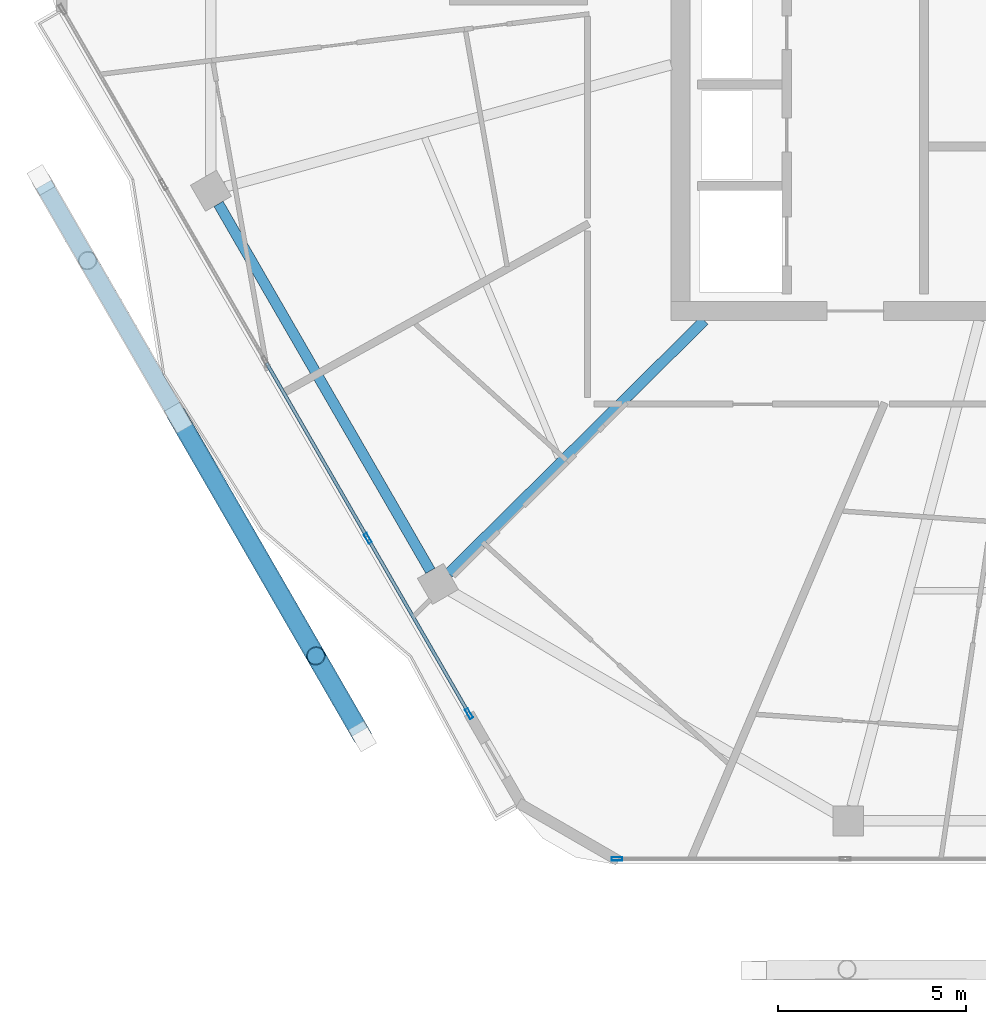
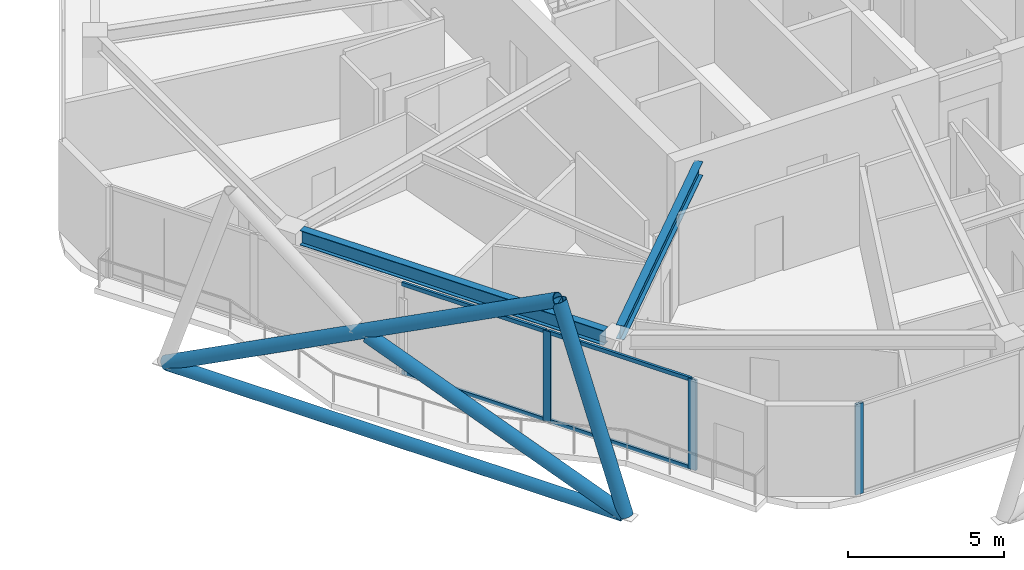
# One storey, part 2 of 23: 11 members, 2 beams, 2 elements without a shape of their own.
"""IFC4 building model written with IfcOpenShell, lengths in metres."""

from ifc_helpers import new_model, si_unit, direction, frame, origin, origin_2d, place, context, subcontext, project, spatial, hollow_rectangle, hollow_circle, i_section, extrude, material, material_profile, profile_set, type_object, element, aggregate, save


model = new_model("IFC4")

# Units and contexts
model_context = context("Model", 3, precision=1e-05, world=origin(), true_north=direction((0.0, 1.0)))
body_context = subcontext(model_context, "Body", "Model", "MODEL_VIEW")
ifc_project = project(units=[si_unit("LENGTHUNIT", "METRE"), si_unit("AREAUNIT", "SQUARE_METRE"), si_unit("VOLUMEUNIT", "CUBIC_METRE"), si_unit("PLANEANGLEUNIT", "RADIAN"), si_unit("MASSUNIT", "GRAM", prefix="KILO")], contexts=[model_context])

# Site, building, storey
site_placement = place(None, origin())
site = spatial("IfcSite", under=ifc_project, at=site_placement, CompositionType="ELEMENT")
building_placement = place(site_placement, origin())
building = spatial("IfcBuilding", under=site, at=building_placement, Name="Zuhravey Tower", CompositionType="ELEMENT")
storey_placement = place(building_placement, frame((0.0, 0.0, 331.0)))
storey = spatial("IfcBuildingStorey", under=building, at=storey_placement, Name="L84", CompositionType="ELEMENT", Elevation=331.0)

# Curtain wall, member
ifc_material_1 = material(Name="Thermally broken anodised aluminium", Category="aluminium")
curtain_wall_type = type_object("IfcCurtainWallType", Name="Zone 3-4 High-Rise Curtain Wall CW4", PredefinedType="NOTDEFINED", material=ifc_material_1)
curtain_wall_1_placement = place(storey_placement, origin())
curtain_wall_1 = element("IfcCurtainWall", 1, at=curtain_wall_1_placement, inside=storey, type_object=curtain_wall_type, Name="L84 CW4 CW-L84-F5-1", PredefinedType="NOTDEFINED")
ifc_material_2 = material(Name="Anodised aluminium", Category="aluminium")
ifc_material_profile_1 = material_profile(ifc_material_2, hollow_rectangle(XDim=0.090087890625, YDim=0.284912109375, WallThickness=0.0048828125, at=origin_2d()), Name="ALU-RHS-90x285x5")
ifc_profile_set_1 = profile_set([ifc_material_profile_1], Name="Anodised aluminium")
member_type_1 = type_object("IfcMemberType", Name="Curtain-Wall Mullion 90x180", PredefinedType="MULLION", material=ifc_profile_set_1)
member_1_placement = place(storey_placement, frame((23.8056640625, 7.92578125, 0.0), z_axis=(0.0, 0.0, 1.0), x_axis=(0.0, -1.0, 0.0)))
member_1 = element("IfcMember", 2, at=member_1_placement, type_object=member_type_1, Name="CW4 mullion 5", PredefinedType="MULLION", context=body_context, shape_type="SweptSolid", body=[
    extrude(hollow_rectangle(XDim=0.090087890625, YDim=0.284912109375, WallThickness=0.0048828125, at=origin_2d()), origin(), (0.0, 0.0, 1.0), 3.550048828125),
])
aggregate(curtain_wall_1, [member_1])

# Curtain wall, members
curtain_wall_2_placement = place(storey_placement, origin())
curtain_wall_2 = element("IfcCurtainWall", 3, at=curtain_wall_2_placement, inside=storey, type_object=curtain_wall_type, Name="L84 CW4 CW-L84-F4-1", PredefinedType="NOTDEFINED")
member_2_placement = place(storey_placement, frame((19.871337890625, 11.787353515625, 0.0), z_axis=(0.0, 0.0, 1.0), x_axis=(-0.866024765255, -0.500001105964, 0.0)))
member_2 = element("IfcMember", 4, at=member_2_placement, type_object=member_type_1, Name="CW4 mullion 1", PredefinedType="MULLION", context=body_context, shape_type="SweptSolid", body=[
    extrude(hollow_rectangle(XDim=0.090087890625, YDim=0.284912109375, WallThickness=0.0048828125, at=origin_2d()), origin(), (0.0, 0.0, 1.0), 3.550048828125),
])
member_3_placement = place(storey_placement, frame((17.17822265625, 16.451904296875, 0.0), z_axis=(0.0, 0.0, 1.0), x_axis=(-0.866024765255, -0.500001105964, 0.0)))
member_3 = element("IfcMember", 5, at=member_3_placement, type_object=member_type_1, Name="CW4 mullion 2", PredefinedType="MULLION", context=body_context, shape_type="SweptSolid", body=[
    extrude(hollow_rectangle(XDim=0.090087890625, YDim=0.284912109375, WallThickness=0.0048828125, at=origin_2d()), origin(), (0.0, 0.0, 1.0), 3.550048828125),
])
ifc_material_profile_2 = material_profile(ifc_material_2, hollow_rectangle(XDim=0.090087890625, YDim=0.14990234375, WallThickness=0.0048828125, at=origin_2d()), Name="ALU-RHS-90x150x5")
ifc_profile_set_2 = profile_set([ifc_material_profile_2], Name="Anodised aluminium")
member_type_2 = type_object("IfcMemberType", Name="Curtain-Wall Transom 90x150", PredefinedType="USERDEFINED", material=ifc_profile_set_2)
member_4_placement = place(storey_placement, frame((19.848876953125, 11.826416015625, 0.044921875), z_axis=(-0.499976506984, 0.866038967058, 0.0), x_axis=(-0.866038967058, -0.499976506984, 0.0)))
member_4 = element("IfcMember", 6, at=member_4_placement, type_object=member_type_2, Name="CW4 transom 1.1", ObjectType="TRANSOM", PredefinedType="USERDEFINED", context=body_context, shape_type="SweptSolid", body=[
    extrude(hollow_rectangle(XDim=0.090087890625, YDim=0.14990234375, WallThickness=0.0048828125, at=origin_2d()), origin(), (0.0, 0.0, 1.0), 5.296142578125),
])
member_5_placement = place(storey_placement, frame((19.848876953125, 11.826416015625, 3.5048828125), z_axis=(-0.499976506984, 0.866038967058, 0.0), x_axis=(-0.866038967058, -0.499976506984, 0.0)))
member_5 = element("IfcMember", 7, at=member_5_placement, type_object=member_type_2, Name="CW4 transom 1.2", ObjectType="TRANSOM", PredefinedType="USERDEFINED", context=body_context, shape_type="SweptSolid", body=[
    extrude(hollow_rectangle(XDim=0.090087890625, YDim=0.14990234375, WallThickness=0.0048828125, at=origin_2d()), origin(), (0.0, 0.0, 1.0), 5.296142578125),
])
member_6_placement = place(storey_placement, frame((17.15576171875, 16.490966796875, 0.044921875), z_axis=(-0.499983605767, 0.866034868793, 0.0), x_axis=(-0.866034868793, -0.499983605767, 0.0)))
member_6 = element("IfcMember", 8, at=member_6_placement, type_object=member_type_2, Name="CW4 transom 2.1", ObjectType="TRANSOM", PredefinedType="USERDEFINED", context=body_context, shape_type="SweptSolid", body=[
    extrude(hollow_rectangle(XDim=0.090087890625, YDim=0.14990234375, WallThickness=0.0048828125, at=origin_2d()), origin(), (0.0, 0.0, 1.0), 5.341064453125),
])
member_7_placement = place(storey_placement, frame((17.15576171875, 16.490966796875, 3.5048828125), z_axis=(-0.499983605767, 0.866034868793, 0.0), x_axis=(-0.866034868793, -0.499983605767, 0.0)))
member_7 = element("IfcMember", 9, at=member_7_placement, type_object=member_type_2, Name="CW4 transom 2.2", ObjectType="TRANSOM", PredefinedType="USERDEFINED", context=body_context, shape_type="SweptSolid", body=[
    extrude(hollow_rectangle(XDim=0.090087890625, YDim=0.14990234375, WallThickness=0.0048828125, at=origin_2d()), origin(), (0.0, 0.0, 1.0), 5.341064453125),
])
aggregate(curtain_wall_2, [member_2, member_3, member_4, member_5, member_6, member_7])

# Members
ifc_material_3 = material(Name="Steel SM355", Category="steel")
ifc_material_profile_3 = material_profile(ifc_material_3, hollow_circle(Radius=0.228515625, WallThickness=0.02197265625, at=origin_2d()), Name="CHS-457.2x22")
ifc_profile_set_3 = profile_set([ifc_material_profile_3], Name="Steel SM355")
member_type_3 = type_object("IfcMemberType", Name="Exoskeleton Ring Tie CHS457x22", PredefinedType="CHORD", material=ifc_profile_set_3)
member_8_placement = place(storey_placement, frame((8.556396484375, 25.86572265625, -0.464111328125), z_axis=(0.499996794797, -0.866027254301, 0.0), x_axis=(0.866027254301, 0.499996794797, 0.0)))
element("IfcMember", 10, at=member_8_placement, inside=storey, type_object=member_type_3, Name="L84 Exoskeleton Face 4 Tie EXR1", PredefinedType="CHORD", context=body_context, shape_type="SweptSolid", body=[
    extrude(hollow_circle(Radius=0.228515625, WallThickness=0.02197265625, at=origin_2d()), origin(), (0.0, 0.0, 1.0), 16.81884765625),
])
ifc_material_profile_4 = material_profile(ifc_material_3, hollow_circle(Radius=0.25390625, WallThickness=0.02490234375, at=origin_2d()), Name="CHS-508.0x25")
ifc_profile_set_4 = profile_set([ifc_material_profile_4], Name="Steel SM355")
member_type_4 = type_object("IfcMemberType", Name="Exoskeleton Zone 4 Diagrid CHS508x25", PredefinedType="BRACE", material=ifc_profile_set_4)
member_9_placement = place(storey_placement, frame((8.501708984375, 25.96044921875, -0.447998046875), z_axis=(0.443609006774, -0.768372647113, 0.461318246201), x_axis=(0.866030844425, 0.499990576415, 0.0)))
element("IfcMember", 11, at=member_9_placement, inside=storey, type_object=member_type_4, Name="L84 Face 4 Diagrid Brace 2", PredefinedType="BRACE", context=body_context, shape_type="SweptSolid", body=[
    extrude(hollow_circle(Radius=0.25390625, WallThickness=0.02490234375, at=origin_2d()), origin(), (0.0, 0.0, 1.0), 16.405517578125),
])
member_10_placement = place(storey_placement, frame((17.033203125, 11.183349609375, -0.447998046875), z_axis=(-0.155226445416, 0.268871093126, 0.950585654176), x_axis=(-0.866034263809, -0.499984653673, 0.0)))
element("IfcMember", 12, at=member_10_placement, inside=storey, type_object=member_type_4, Name="L84 Face 4 Diagrid Brace 4", PredefinedType="BRACE", context=body_context, shape_type="SweptSolid", body=[
    extrude(hollow_circle(Radius=0.25390625, WallThickness=0.02490234375, at=origin_2d()), origin(), (0.0, 0.0, 1.0), 7.96142578125),
])
member_11_placement = place(storey_placement, frame((17.01953125, 11.206787109375, -0.451416015625), z_axis=(-0.466120096099, 0.80734608376, 0.36183470957), x_axis=(-0.866026046022, -0.49999888761, 0.0)))
element("IfcMember", 13, at=member_11_placement, inside=storey, type_object=member_type_4, Name="L84 Face 4 Split Diagrid Brace 3A", PredefinedType="BRACE", context=body_context, shape_type="SweptSolid", body=[
    extrude(hollow_circle(Radius=0.25390625, WallThickness=0.02490234375, at=origin_2d()), origin(), (0.0, 0.0, 1.0), 10.223388671875),
])

# Beams
ifc_material_profile_5 = material_profile(ifc_material_3, i_section(OverallWidth=0.280029296875, OverallDepth=0.580078125, WebThickness=0.011962890625, FlangeThickness=0.01904296875, at=origin_2d()), Name="H-580x280x12x19")
ifc_profile_set_5 = profile_set([ifc_material_profile_5], Name="Steel SM355")
beam_type_1 = type_object("IfcBeamType", Name="Perimeter Ring Beam H580x280", PredefinedType="BEAM", material=ifc_profile_set_5)
beam_1_placement = place(storey_placement, frame((13.2080078125, 25.3486328125, 3.260009765625), z_axis=(0.500006198144, -0.866021825255, 0.0), x_axis=(0.866021825255, 0.500006198144, 0.0)))
element("IfcBeam", 14, at=beam_1_placement, inside=storey, type_object=beam_type_1, Name="L84 PB4 BM-L84-PB-07", PredefinedType="BEAM", context=body_context, shape_type="SweptSolid", body=[
    extrude(i_section(OverallWidth=0.280029296875, OverallDepth=0.580078125, WebThickness=0.011962890625, FlangeThickness=0.01904296875, at=origin_2d()), origin(), (0.0, 0.0, 1.0), 11.271240234375),
])
ifc_material_profile_6 = material_profile(ifc_material_3, i_section(OverallWidth=0.280029296875, OverallDepth=0.550048828125, WebThickness=0.010986328125, FlangeThickness=0.01806640625, at=origin_2d()), Name="H-550x280x11x18")
ifc_profile_set_6 = profile_set([ifc_material_profile_6], Name="Steel SM355")
beam_type_2 = type_object("IfcBeamType", Name="Radial Primary Girder H550x280", PredefinedType="BEAM", material=ifc_profile_set_6)
beam_2_placement = place(storey_placement, frame((26.134765625, 22.2470703125, 3.27490234375), z_axis=(-0.711153035666, -0.703037239314, 0.0), x_axis=(0.703037239314, -0.711153035666, 0.0)))
element("IfcBeam", 15, at=beam_2_placement, inside=storey, type_object=beam_type_2, Name="L84 RG4 BM-L84-RAD-08", PredefinedType="BEAM", context=body_context, shape_type="SweptSolid", body=[
    extrude(i_section(OverallWidth=0.280029296875, OverallDepth=0.550048828125, WebThickness=0.010986328125, FlangeThickness=0.01806640625, at=origin_2d()), origin(), (0.0, 0.0, 1.0), 9.566162109375),
])

save(model, "model.ifc")
